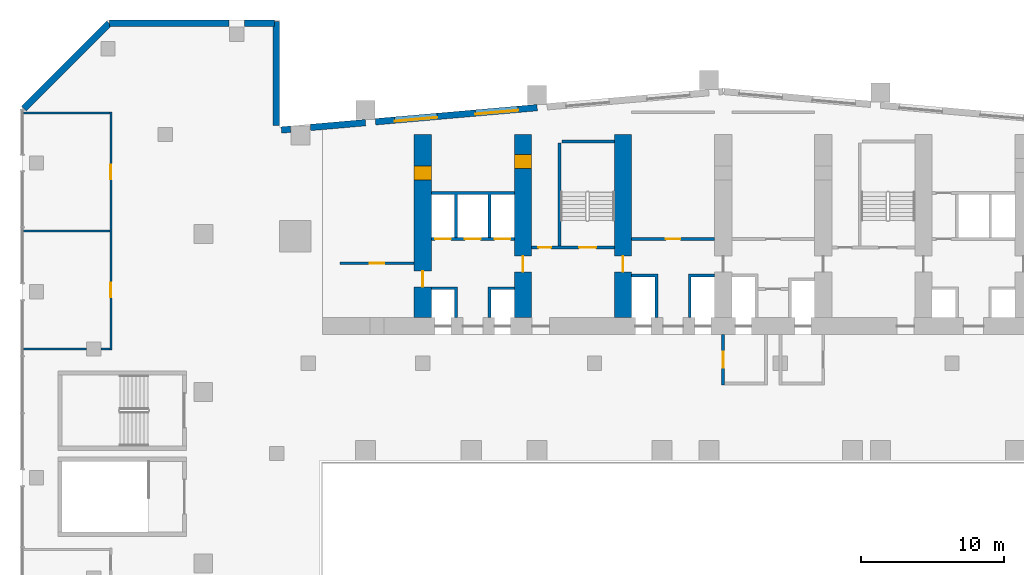
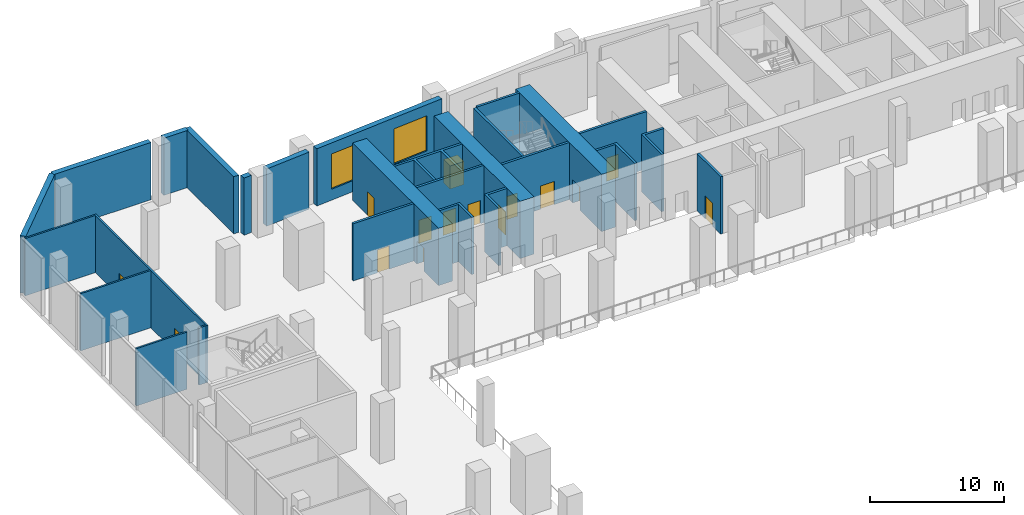
# One storey, part 14 of 25: 27 walls, 15 doors, 2 windows, 17 openings.
"""IFC4 building model written with IfcOpenShell, lengths in metres."""

from ifc_helpers import new_model, si_unit, direction, frame, frame_2d, origin, place, context, subcontext, project, spatial, polyline, rectangle, outline, extrude, material, layer, layer_set, type_object, element, fill, save


model = new_model("IFC4")

# Units and contexts
model_context = context("Model", 3, precision=1e-05, world=origin(), true_north=direction((0.0, 1.0)))
body_context = subcontext(model_context, "Body", "Model", "MODEL_VIEW")
ifc_project = project(units=[si_unit("LENGTHUNIT", "METRE"), si_unit("AREAUNIT", "SQUARE_METRE"), si_unit("VOLUMEUNIT", "CUBIC_METRE"), si_unit("PLANEANGLEUNIT", "RADIAN"), si_unit("MASSUNIT", "GRAM", prefix="KILO")], contexts=[model_context])

# Site, building, storey
site_placement = place(None, origin())
site = spatial("IfcSite", under=ifc_project, at=site_placement, CompositionType="ELEMENT")
building_placement = place(site_placement, origin())
building = spatial("IfcBuilding", under=site, at=building_placement, Name="Wharfspan Tower", CompositionType="ELEMENT")
storey_placement = place(building_placement, frame((0.0, 0.0, 27.5)))
storey = spatial("IfcBuildingStorey", under=building, at=storey_placement, Name="L04", CompositionType="ELEMENT", Elevation=27.5)

# Wall, opening, door
ifc_material_1 = material(Name="Calcium silicate masonry", Category="masonry")
ifc_layer_1 = layer(ifc_material_1, 0.199951)
ifc_layer_set_1 = layer_set([ifc_layer_1], Name="Calcium silicate masonry")
wall_type_1 = type_object("IfcWallType", Name="Core room wall 200", PredefinedType="PARTITIONING", material=ifc_layer_set_1)
wall_1_placement = place(storey_placement, frame((10.199951, 39.0, 0.0), z_axis=(0.0, 0.0, 1.0), x_axis=(1.0, 0.0, 0.0)))
wall_1 = element("IfcWall", 1, at=wall_1_placement, inside=storey, type_object=wall_type_1, Name="sw:L04:RM0", PredefinedType="PARTITIONING", context=body_context, shape_type="SweptSolid", body=[
    extrude(rectangle(XDim=5.199951, YDim=0.199951, at=frame_2d((2.600098, 0.0))), origin(), (0.0, 0.0, 1.0), 5.199951),
])
opening_1_placement = place(wall_1_placement, frame((2.100098, 0.0, 0.0)))
opening_1 = element("IfcOpeningElement", 2, at=opening_1_placement, cuts=wall_1, Name="Opening CD04.02", PredefinedType="OPENING", context=body_context, shape_type="SweptSolid", body=[
    extrude(rectangle(XDim=1.0, YDim=2.100098, at=frame_2d((0.5, 1.050049))), frame((0.0, 0.109863, 0.0), z_axis=(0.0, -1.0, 0.0), x_axis=(1.0, 0.0, 0.0)), (0.0, 0.0, 1.0), 0.219971),
])
ifc_material_2 = material(Name="Steel door leaf", Category="steel")
door_type_1 = type_object("IfcDoorType", Name="Core room door 1000x2100", OperationType="SINGLE_SWING_LEFT", PredefinedType="DOOR", material=ifc_material_2)
door_1_placement = place(opening_1_placement, origin())
door_1 = element("IfcDoor", 3, at=door_1_placement, inside=storey, type_object=door_type_1, Name="d:L04:0:rr", OperationType="SINGLE_SWING_RIGHT", OverallHeight=2.100098, OverallWidth=1.0, PredefinedType="DOOR", context=body_context, shape_type="SweptSolid", body=[
    extrude(rectangle(XDim=1.0, YDim=2.100098, at=frame_2d((0.5, 1.050049))), frame((0.0, 0.024902, 0.0), z_axis=(0.0, -1.0, 0.0), x_axis=(1.0, 0.0, 0.0)), (0.0, 0.0, 1.0), 0.050049),
])
fill(opening_1, door_1)

# Wall, openings, doors
ifc_material_3 = material(Name="Concrete C70/85", Category="concrete")
ifc_layer_2 = layer(ifc_material_3, 1.199951)
ifc_layer_set_2 = layer_set([ifc_layer_2], Name="Concrete C70/85")
wall_type_2 = type_object("IfcWallType", Name="Core wall fallback 1.2", PredefinedType="SHEAR", material=ifc_layer_set_2)
wall_2_placement = place(storey_placement, frame((16.0, 35.199951, 0.0), z_axis=(0.0, 0.0, 1.0), x_axis=(0.0, 1.0, 0.0)))
wall_2 = element("IfcWall", 4, at=wall_2_placement, inside=storey, type_object=wall_type_2, Name="cw:L04:X1", PredefinedType="SHEAR", context=body_context, shape_type="SweptSolid", body=[
    extrude(rectangle(XDim=12.800049, YDim=1.199951, at=frame_2d((6.399902, 0.0))), origin(), (0.0, 0.0, 1.0), 5.199951),
])
opening_2_placement = place(wall_2_placement, frame((2.149902, 0.0, 0.0)))
opening_2 = element("IfcOpeningElement", 5, at=opening_2_placement, cuts=wall_2, Name="Opening CC04.1", PredefinedType="OPENING", context=body_context, shape_type="SweptSolid", body=[
    extrude(rectangle(XDim=1.100098, YDim=2.100098, at=frame_2d((0.550049, 1.050049))), frame((0.0, 0.609863, 0.0), z_axis=(0.0, -1.0, 0.0), x_axis=(1.0, 0.0, 0.0)), (0.0, 0.0, 1.0), 1.219971),
])
opening_3_placement = place(wall_2_placement, frame((9.600098, 0.0, 0.0)))
opening_3 = element("IfcOpeningElement", 6, at=opening_3_placement, cuts=wall_2, Name="Opening CR04.1", PredefinedType="OPENING", context=body_context, shape_type="SweptSolid", body=[
    extrude(rectangle(XDim=1.0, YDim=2.100098, at=frame_2d((0.5, 1.050049))), frame((0.0, 0.609863, 0.0), z_axis=(0.0, -1.0, 0.0), x_axis=(1.0, 0.0, 0.0)), (0.0, 0.0, 1.0), 1.219971),
])
door_type_2 = type_object("IfcDoorType", Name="Core corridor door 1100x2100", OperationType="SINGLE_SWING_LEFT", PredefinedType="DOOR", material=ifc_material_2)
door_2_placement = place(opening_2_placement, origin())
door_2 = element("IfcDoor", 7, at=door_2_placement, inside=storey, type_object=door_type_2, Name="xd:L04:1", OperationType="SINGLE_SWING_LEFT", OverallHeight=2.100098, OverallWidth=1.100098, PredefinedType="DOOR", context=body_context, shape_type="SweptSolid", body=[
    extrude(rectangle(XDim=1.100098, YDim=2.100098, at=frame_2d((0.550049, 1.050049))), frame((0.0, 0.024902, 0.0), z_axis=(0.0, -1.0, 0.0), x_axis=(1.0, 0.0, 0.0)), (0.0, 0.0, 1.0), 0.050049),
])
fill(opening_2, door_2)
door_3_placement = place(opening_3_placement, origin())
door_3 = element("IfcDoor", 8, at=door_3_placement, inside=storey, type_object=door_type_1, Name="xr:L04:1", OperationType="SINGLE_SWING_RIGHT", OverallHeight=2.100098, OverallWidth=1.0, PredefinedType="DOOR", context=body_context, shape_type="SweptSolid", body=[
    extrude(rectangle(XDim=1.0, YDim=2.100098, at=frame_2d((0.5, 1.050049))), frame((0.0, 0.599609, 0.0), z_axis=(0.0, -1.0, 0.0), x_axis=(1.0, 0.0, 0.0)), (0.0, 0.0, 1.0), 1.199463),
])
fill(opening_3, door_3)

wall_3_placement = place(storey_placement, frame((23.0, 35.199951, 0.0), z_axis=(0.0, 0.0, 1.0), x_axis=(0.0, 1.0, 0.0)))
wall_3 = element("IfcWall", 9, at=wall_3_placement, inside=storey, type_object=wall_type_2, Name="cw:L04:X2", PredefinedType="SHEAR", context=body_context, shape_type="SweptSolid", body=[
    extrude(rectangle(XDim=12.800049, YDim=1.199951, at=frame_2d((6.399902, 0.0))), origin(), (0.0, 0.0, 1.0), 5.199951),
])
opening_4_placement = place(wall_3_placement, frame((10.413818, 0.0, 0.0)))
opening_4 = element("IfcOpeningElement", 10, at=opening_4_placement, cuts=wall_3, Name="Opening CD04.1X", PredefinedType="OPENING", context=body_context, shape_type="SweptSolid", body=[
    extrude(rectangle(XDim=1.0, YDim=2.100098, at=frame_2d((0.5, 1.050049))), frame((0.0, 0.609863, 0.0), z_axis=(0.0, -1.0, 0.0), x_axis=(1.0, 0.0, 0.0)), (0.0, 0.0, 1.0), 1.219971),
])
opening_5_placement = place(wall_3_placement, frame((3.199951, 0.0, 0.0)))
opening_5 = element("IfcOpeningElement", 11, at=opening_5_placement, cuts=wall_3, Name="Opening CC04.2", PredefinedType="OPENING", context=body_context, shape_type="SweptSolid", body=[
    extrude(rectangle(XDim=1.100098, YDim=2.100098, at=frame_2d((0.550049, 1.050049))), frame((0.0, 0.609863, 0.0), z_axis=(0.0, -1.0, 0.0), x_axis=(1.0, 0.0, 0.0)), (0.0, 0.0, 1.0), 1.219971),
])
door_4_placement = place(opening_5_placement, origin())
door_4 = element("IfcDoor", 12, at=door_4_placement, inside=storey, type_object=door_type_2, Name="xd:L04:2", OperationType="SINGLE_SWING_RIGHT", OverallHeight=2.100098, OverallWidth=1.100098, PredefinedType="DOOR", context=body_context, shape_type="SweptSolid", body=[
    extrude(rectangle(XDim=1.100098, YDim=2.100098, at=frame_2d((0.550049, 1.050049))), frame((0.0, 0.024902, 0.0), z_axis=(0.0, -1.0, 0.0), x_axis=(1.0, 0.0, 0.0)), (0.0, 0.0, 1.0), 0.050049),
])
fill(opening_5, door_4)
door_5_placement = place(opening_4_placement, origin())
door_5 = element("IfcDoor", 13, at=door_5_placement, inside=storey, type_object=door_type_1, Name="d:L04:1:sx", OperationType="SINGLE_SWING_LEFT", OverallHeight=2.100098, OverallWidth=1.0, PredefinedType="DOOR", context=body_context, shape_type="SweptSolid", body=[
    extrude(rectangle(XDim=1.0, YDim=2.100098, at=frame_2d((0.5, 1.050049))), frame((0.0, 0.599609, 0.0), z_axis=(0.0, -1.0, 0.0), x_axis=(1.0, 0.0, 0.0)), (0.0, 0.0, 1.0), 1.199463),
])
fill(opening_4, door_5)

# Wall, opening, door
wall_4_placement = place(storey_placement, frame((30.0, 35.199951, 0.0), z_axis=(0.0, 0.0, 1.0), x_axis=(0.0, 1.0, 0.0)))
wall_4 = element("IfcWall", 14, at=wall_4_placement, inside=storey, type_object=wall_type_2, Name="cw:L04:X3", PredefinedType="SHEAR", context=body_context, shape_type="SweptSolid", body=[
    extrude(rectangle(XDim=12.800049, YDim=1.199951, at=frame_2d((6.399902, 0.0))), origin(), (0.0, 0.0, 1.0), 5.199951),
])
opening_6_placement = place(wall_4_placement, frame((3.199951, 0.0, 0.0)))
opening_6 = element("IfcOpeningElement", 15, at=opening_6_placement, cuts=wall_4, Name="Opening CC04.3", PredefinedType="OPENING", context=body_context, shape_type="SweptSolid", body=[
    extrude(rectangle(XDim=1.100098, YDim=2.100098, at=frame_2d((0.550049, 1.050049))), frame((0.0, 0.609863, 0.0), z_axis=(0.0, -1.0, 0.0), x_axis=(1.0, 0.0, 0.0)), (0.0, 0.0, 1.0), 1.219971),
])
door_6_placement = place(opening_6_placement, origin())
door_6 = element("IfcDoor", 16, at=door_6_placement, inside=storey, type_object=door_type_2, Name="xd:L04:3", OperationType="SINGLE_SWING_LEFT", OverallHeight=2.100098, OverallWidth=1.100098, PredefinedType="DOOR", context=body_context, shape_type="SweptSolid", body=[
    extrude(rectangle(XDim=1.100098, YDim=2.100098, at=frame_2d((0.550049, 1.050049))), frame((0.0, 0.024902, 0.0), z_axis=(0.0, -1.0, 0.0), x_axis=(1.0, 0.0, 0.0)), (0.0, 0.0, 1.0), 0.050049),
])
fill(opening_6, door_6)

# Wall, openings, doors
ifc_material_4 = material(Name="Concrete C30/37", Category="concrete")
ifc_layer_3 = layer(ifc_material_4, 0.199951)
ifc_layer_set_3 = layer_set([ifc_layer_3], Name="Concrete C30/37")
wall_type_3 = type_object("IfcWallType", Name="Lift shaft wall 200", PredefinedType="PARTITIONING", material=ifc_layer_set_3)
wall_5_placement = place(storey_placement, frame((16.600098, 40.699951, 0.0), z_axis=(0.0, 0.0, 1.0), x_axis=(1.0, 0.0, 0.0)))
wall_5 = element("IfcWall", 17, at=wall_5_placement, inside=storey, type_object=wall_type_3, Name="sw:L04:RF1", PredefinedType="PARTITIONING", context=body_context, shape_type="SweptSolid", body=[
    extrude(rectangle(XDim=5.799805, YDim=0.199951, at=frame_2d((2.899902, 0.0))), origin(), (0.0, 0.0, 1.0), 5.199951),
])
opening_7_placement = place(wall_5_placement, frame((0.266602, 0.0, 0.0)))
opening_7 = element("IfcOpeningElement", 18, at=opening_7_placement, cuts=wall_5, Name="Opening LD.LA3.L04", PredefinedType="OPENING", context=body_context, shape_type="SweptSolid", body=[
    extrude(rectangle(XDim=1.100098, YDim=2.100098, at=frame_2d((0.550049, 1.050049))), frame((0.0, 0.109863, 0.0), z_axis=(0.0, -1.0, 0.0), x_axis=(1.0, 0.0, 0.0)), (0.0, 0.0, 1.0), 0.219971),
])
opening_8_placement = place(wall_5_placement, frame((2.350098, 0.0, 0.0)))
opening_8 = element("IfcOpeningElement", 19, at=opening_8_placement, cuts=wall_5, Name="Opening LD.LA4.L04", PredefinedType="OPENING", context=body_context, shape_type="SweptSolid", body=[
    extrude(rectangle(XDim=1.100098, YDim=2.100098, at=frame_2d((0.550049, 1.050049))), frame((0.0, 0.109863, 0.0), z_axis=(0.0, -1.0, 0.0), x_axis=(1.0, 0.0, 0.0)), (0.0, 0.0, 1.0), 0.219971),
])
opening_9_placement = place(wall_5_placement, frame((4.43335, 0.0, 0.0)))
opening_9 = element("IfcOpeningElement", 20, at=opening_9_placement, cuts=wall_5, Name="Opening LD.LA5.L04", PredefinedType="OPENING", context=body_context, shape_type="SweptSolid", body=[
    extrude(rectangle(XDim=1.100098, YDim=2.100098, at=frame_2d((0.550049, 1.050049))), frame((0.0, 0.109863, 0.0), z_axis=(0.0, -1.0, 0.0), x_axis=(1.0, 0.0, 0.0)), (0.0, 0.0, 1.0), 0.219971),
])
ifc_material_5 = material(Name="Stainless steel", Category="steel")
door_type_3 = type_object("IfcDoorType", Name="Lift landing door 1100x2100", OperationType="DOUBLE_DOOR_SLIDING", PredefinedType="DOOR", material=ifc_material_5)
door_7_placement = place(opening_7_placement, origin())
door_7 = element("IfcDoor", 21, at=door_7_placement, inside=storey, type_object=door_type_3, Name="Landing door LA3 L04", OperationType="DOUBLE_DOOR_SLIDING", OverallHeight=2.100098, OverallWidth=1.100098, PredefinedType="DOOR", context=body_context, shape_type="SweptSolid", body=[
    extrude(rectangle(XDim=1.100098, YDim=2.100098, at=frame_2d((0.550049, 1.050049))), frame((0.0, 0.024902, 0.0), z_axis=(0.0, -1.0, 0.0), x_axis=(1.0, 0.0, 0.0)), (0.0, 0.0, 1.0), 0.050049),
])
fill(opening_7, door_7)
door_8_placement = place(opening_8_placement, origin())
door_8 = element("IfcDoor", 22, at=door_8_placement, inside=storey, type_object=door_type_3, Name="Landing door LA4 L04", OperationType="DOUBLE_DOOR_SLIDING", OverallHeight=2.100098, OverallWidth=1.100098, PredefinedType="DOOR", context=body_context, shape_type="SweptSolid", body=[
    extrude(rectangle(XDim=1.100098, YDim=2.100098, at=frame_2d((0.550049, 1.050049))), frame((0.0, 0.024902, 0.0), z_axis=(0.0, -1.0, 0.0), x_axis=(1.0, 0.0, 0.0)), (0.0, 0.0, 1.0), 0.050049),
])
fill(opening_8, door_8)
door_9_placement = place(opening_9_placement, origin())
door_9 = element("IfcDoor", 23, at=door_9_placement, inside=storey, type_object=door_type_3, Name="Landing door LA5 L04", OperationType="DOUBLE_DOOR_SLIDING", OverallHeight=2.100098, OverallWidth=1.100098, PredefinedType="DOOR", context=body_context, shape_type="SweptSolid", body=[
    extrude(rectangle(XDim=1.100098, YDim=2.100098, at=frame_2d((0.550049, 1.050049))), frame((0.0, 0.024902, 0.0), z_axis=(0.0, -1.0, 0.0), x_axis=(1.0, 0.0, 0.0)), (0.0, 0.0, 1.0), 0.050049),
])
fill(opening_9, door_9)

# Walls
wall_6_placement = place(storey_placement, frame((0.0, 0.0, -0.000244)))
element("IfcWall", 24, at=wall_6_placement, inside=storey, type_object=wall_type_3, Name="sw:L04:FM1.0", PredefinedType="PARTITIONING", context=body_context, shape_type="SweptSolid", body=[
    extrude(outline(polyline([(18.233398, 37.149902), (16.600098, 37.149902), (16.600098, 37.350098), (18.233398, 37.350098), (18.43335, 37.350098), (18.43335, 35.199951), (18.233398, 35.199951), (18.233398, 37.149902)])), origin(), (0.0, 0.0, 1.0), 5.200195),
])
wall_7_placement = place(storey_placement, frame((0.0, 0.0, -0.000244)))
element("IfcWall", 25, at=wall_7_placement, inside=storey, type_object=wall_type_3, Name="sw:L04:FM1.1", PredefinedType="PARTITIONING", context=body_context, shape_type="SweptSolid", body=[
    extrude(outline(polyline([(20.56665, 37.350098), (20.766602, 37.350098), (22.399902, 37.350098), (22.399902, 37.149902), (20.766602, 37.149902), (20.766602, 35.199951), (20.56665, 35.199951), (20.56665, 37.350098)])), origin(), (0.0, 0.0, 1.0), 5.200195),
])
wall_8_placement = place(storey_placement, frame((0.0, 0.0, -0.000244)))
element("IfcWall", 26, at=wall_8_placement, inside=storey, type_object=wall_type_3, Name="sw:L04:RM1.0", PredefinedType="PARTITIONING", context=body_context, shape_type="SweptSolid", body=[
    extrude(outline(polyline([(18.43335, 40.800049), (18.233398, 40.800049), (18.233398, 43.800049), (16.600098, 43.800049), (16.600098, 44.0), (22.399902, 44.0), (22.399902, 43.800049), (20.766602, 43.800049), (20.766602, 40.800049), (20.56665, 40.800049), (20.56665, 43.800049), (18.43335, 43.800049), (18.43335, 40.800049)])), origin(), (0.0, 0.0, 1.0), 5.200195),
])

# Wall, opening, door
wall_9_placement = place(storey_placement, frame((30.600098, 40.699951, 0.0), z_axis=(0.0, 0.0, 1.0), x_axis=(1.0, 0.0, 0.0)))
wall_9 = element("IfcWall", 27, at=wall_9_placement, inside=storey, type_object=wall_type_3, Name="sw:L04:RF3", PredefinedType="PARTITIONING", context=body_context, shape_type="SweptSolid", body=[
    extrude(rectangle(XDim=5.799805, YDim=0.199951, at=frame_2d((2.899902, 0.0))), origin(), (0.0, 0.0, 1.0), 5.199951),
])
opening_10_placement = place(wall_9_placement, frame((2.399902, 0.0, 0.0)))
opening_10 = element("IfcOpeningElement", 28, at=opening_10_placement, cuts=wall_9, Name="Opening CD04.3S", PredefinedType="OPENING", context=body_context, shape_type="SweptSolid", body=[
    extrude(rectangle(XDim=1.0, YDim=2.100098, at=frame_2d((0.5, 1.050049))), frame((0.0, 0.109863, 0.0), z_axis=(0.0, -1.0, 0.0), x_axis=(1.0, 0.0, 0.0)), (0.0, 0.0, 1.0), 0.219971),
])
door_10_placement = place(opening_10_placement, origin())
door_10 = element("IfcDoor", 29, at=door_10_placement, inside=storey, type_object=door_type_1, Name="d:L04:3:sf", OperationType="SINGLE_SWING_LEFT", OverallHeight=2.100098, OverallWidth=1.0, PredefinedType="DOOR", context=body_context, shape_type="SweptSolid", body=[
    extrude(rectangle(XDim=1.0, YDim=2.100098, at=frame_2d((0.5, 1.050049))), frame((0.0, 0.024902, 0.0), z_axis=(0.0, -1.0, 0.0), x_axis=(1.0, 0.0, 0.0)), (0.0, 0.0, 1.0), 0.050049),
])
fill(opening_10, door_10)

# Walls
wall_10_placement = place(storey_placement, frame((0.0, 0.0, -0.000244)))
element("IfcWall", 30, at=wall_10_placement, inside=storey, type_object=wall_type_3, Name="sw:L04:FM3.0", PredefinedType="PARTITIONING", context=body_context, shape_type="SweptSolid", body=[
    extrude(outline(polyline([(32.233398, 38.050049), (30.600098, 38.050049), (30.600098, 38.25), (32.233398, 38.25), (32.43335, 38.25), (32.43335, 35.199951), (32.233398, 35.199951), (32.233398, 38.050049)])), origin(), (0.0, 0.0, 1.0), 5.200195),
])
wall_11_placement = place(storey_placement, frame((0.0, 0.0, -0.000244)))
element("IfcWall", 31, at=wall_11_placement, inside=storey, type_object=wall_type_3, Name="sw:L04:FM3.1", PredefinedType="PARTITIONING", context=body_context, shape_type="SweptSolid", body=[
    extrude(outline(polyline([(34.56665, 38.25), (34.766602, 38.25), (36.399902, 38.25), (36.399902, 38.050049), (34.766602, 38.050049), (34.766602, 35.199951), (34.56665, 35.199951), (34.56665, 38.25)])), origin(), (0.0, 0.0, 1.0), 5.200195),
])

# Wall, opening, door
ifc_layer_4 = layer(ifc_material_4, 0.199951)
ifc_layer_set_4 = layer_set([ifc_layer_4], Name="Concrete C30/37")
wall_type_4 = type_object("IfcWallType", Name="Lobby wall 200", PredefinedType="PARTITIONING", material=ifc_layer_set_4)
wall_12_placement = place(storey_placement, frame((37.0, 30.5, 0.0), z_axis=(0.0, 0.0, 1.0), x_axis=(0.0, 1.0, 0.0)))
wall_12 = element("IfcWall", 32, at=wall_12_placement, inside=storey, type_object=wall_type_4, Name="sw:L04:FLFF1W", PredefinedType="PARTITIONING", context=body_context, shape_type="SweptSolid", body=[
    extrude(rectangle(XDim=3.5, YDim=0.199951, at=frame_2d((1.75, 0.0))), origin(), (0.0, 0.0, 1.0), 5.199951),
])
opening_11_placement = place(wall_12_placement, frame((1.199951, 0.0, 0.0)))
opening_11 = element("IfcOpeningElement", 33, at=opening_11_placement, cuts=wall_12, Name="Opening FL.FF1.L04", PredefinedType="OPENING", context=body_context, shape_type="SweptSolid", body=[
    extrude(rectangle(XDim=1.100098, YDim=2.100098, at=frame_2d((0.550049, 1.050049))), frame((0.0, 0.109863, 0.0), z_axis=(0.0, -1.0, 0.0), x_axis=(1.0, 0.0, 0.0)), (0.0, 0.0, 1.0), 0.219971),
])
door_type_4 = type_object("IfcDoorType", Name="Firefighting lobby door 1100x2100", OperationType="SINGLE_SWING_LEFT", PredefinedType="DOOR", material=ifc_material_2)
door_11_placement = place(opening_11_placement, origin())
door_11 = element("IfcDoor", 34, at=door_11_placement, inside=storey, type_object=door_type_4, Name="fd:L04:FF1", OperationType="SINGLE_SWING_LEFT", OverallHeight=2.100098, OverallWidth=1.100098, PredefinedType="DOOR", context=body_context, shape_type="SweptSolid", body=[
    extrude(rectangle(XDim=1.100098, YDim=2.100098, at=frame_2d((0.550049, 1.050049))), frame((0.0, 0.024902, 0.0), z_axis=(0.0, -1.0, 0.0), x_axis=(1.0, 0.0, 0.0)), (0.0, 0.0, 1.0), 0.050049),
])
fill(opening_11, door_11)

# Wall, openings, doors
ifc_layer_5 = layer(ifc_material_1, 0.149902)
ifc_layer_set_5 = layer_set([ifc_layer_5], Name="Calcium silicate masonry")
wall_type_5 = type_object("IfcWallType", Name="Podium room wall 150", PredefinedType="PARTITIONING", material=ifc_layer_set_5)
wall_13_placement = place(storey_placement, frame((-5.800049, 32.925049, 0.0), z_axis=(0.0, 0.0, 1.0), x_axis=(0.0, 1.0, 0.0)))
wall_13 = element("IfcWall", 35, at=wall_13_placement, inside=storey, type_object=wall_type_5, Name="iw:L04:5", PredefinedType="PARTITIONING", context=body_context, shape_type="SweptSolid", body=[
    extrude(rectangle(XDim=16.649902, YDim=0.149902, at=frame_2d((8.324951, 0.0))), origin(), (0.0, 0.0, 1.0), 5.199951),
])
opening_12_placement = place(wall_13_placement, frame((3.699951, 0.0, 0.0)))
opening_12 = element("IfcOpeningElement", 36, at=opening_12_placement, cuts=wall_13, Name="Opening PD04.12", PredefinedType="OPENING", context=body_context, shape_type="SweptSolid", body=[
    extrude(rectangle(XDim=1.0, YDim=2.100098, at=frame_2d((0.5, 1.050049))), frame((0.0, 0.084961, 0.0), z_axis=(0.0, -1.0, 0.0), x_axis=(1.0, 0.0, 0.0)), (0.0, 0.0, 1.0), 0.169922),
])
opening_13_placement = place(wall_13_placement, frame((11.949951, 0.0, 0.0)))
opening_13 = element("IfcOpeningElement", 37, at=opening_13_placement, cuts=wall_13, Name="Opening PD04.13", PredefinedType="OPENING", context=body_context, shape_type="SweptSolid", body=[
    extrude(rectangle(XDim=1.0, YDim=2.100098, at=frame_2d((0.5, 1.050049))), frame((0.0, 0.084961, 0.0), z_axis=(0.0, -1.0, 0.0), x_axis=(1.0, 0.0, 0.0)), (0.0, 0.0, 1.0), 0.169922),
])
door_type_5 = type_object("IfcDoorType", Name="Podium room door 1000x2100", OperationType="SINGLE_SWING_LEFT", PredefinedType="DOOR", material=ifc_material_2)
door_12_placement = place(opening_12_placement, origin())
door_12 = element("IfcDoor", 38, at=door_12_placement, inside=storey, type_object=door_type_5, Name="id:L04:12", OperationType="SINGLE_SWING_LEFT", OverallHeight=2.100098, OverallWidth=1.0, PredefinedType="DOOR", context=body_context, shape_type="SweptSolid", body=[
    extrude(rectangle(XDim=1.0, YDim=2.100098, at=frame_2d((0.5, 1.050049))), frame((0.0, 0.024902, 0.0), z_axis=(0.0, -1.0, 0.0), x_axis=(1.0, 0.0, 0.0)), (0.0, 0.0, 1.0), 0.050049),
])
fill(opening_12, door_12)
door_13_placement = place(opening_13_placement, origin())
door_13 = element("IfcDoor", 39, at=door_13_placement, inside=storey, type_object=door_type_5, Name="id:L04:13", OperationType="SINGLE_SWING_RIGHT", OverallHeight=2.100098, OverallWidth=1.0, PredefinedType="DOOR", context=body_context, shape_type="SweptSolid", body=[
    extrude(rectangle(XDim=1.0, YDim=2.100098, at=frame_2d((0.5, 1.050049))), frame((0.0, 0.024902, 0.0), z_axis=(0.0, -1.0, 0.0), x_axis=(1.0, 0.0, 0.0)), (0.0, 0.0, 1.0), 0.050049),
])
fill(opening_13, door_13)

# Walls
wall_14_placement = place(storey_placement, frame((-11.89502, 33.0, 0.0), z_axis=(0.0, 0.0, 1.0), x_axis=(1.0, 0.0, 0.0)))
element("IfcWall", 40, at=wall_14_placement, inside=storey, type_object=wall_type_5, Name="iw:L04:24", PredefinedType="PARTITIONING", context=body_context, shape_type="SweptSolid", body=[
    extrude(rectangle(XDim=4.38501, YDim=0.149902, at=frame_2d((2.192383, 0.0))), origin(), (0.0, 0.0, 1.0), 5.199951),
])
wall_15_placement = place(storey_placement, frame((-6.48999, 33.0, 0.0), z_axis=(0.0, 0.0, 1.0), x_axis=(1.0, 0.0, 0.0)))
element("IfcWall", 41, at=wall_15_placement, inside=storey, type_object=wall_type_5, Name="iw:L04:25", PredefinedType="PARTITIONING", context=body_context, shape_type="SweptSolid", body=[
    extrude(rectangle(XDim=0.61499, YDim=0.149902, at=frame_2d((0.307617, 0.0))), origin(), (0.0, 0.0, 1.0), 5.199951),
])
for number, where, z_axis, x_axis, name in (
    (42, (-11.89502, 41.25, 0.0), (0.0, 0.0, 1.0), (1.0, 0.0, 0.0), "iw:L04:26"),
    (43, (-11.89502, 49.5, 0.0), (0.0, 0.0, 1.0), (1.0, 0.0, 0.0), "iw:L04:27"),
):
    element("IfcWall", number, at=place(storey_placement, frame(where, z_axis=z_axis, x_axis=x_axis)), inside=storey, type_object=wall_type_5, Name=name, PredefinedType="PARTITIONING", context=body_context, shape_type="SweptSolid", body=[
        extrude(rectangle(XDim=6.02002, YDim=0.149902, at=frame_2d((3.01001, 0.0))), origin(), (0.0, 0.0, 1.0), 5.199951),
    ])

# Wall, openings, doors
ifc_material_6 = material(Name="Concrete C40/50", Category="concrete")
ifc_layer_6 = layer(ifc_material_6, 0.199951)
ifc_layer_set_6 = layer_set([ifc_layer_6], Name="Concrete C40/50")
wall_type_6 = type_object("IfcWallType", Name="Stair shaft wall 200", PredefinedType="SHEAR", material=ifc_layer_set_6)
wall_16_placement = place(storey_placement, frame((23.600098, 40.100098, 0.0), z_axis=(0.0, 0.0, 1.0), x_axis=(1.0, 0.0, 0.0)))
wall_16 = element("IfcWall", 44, at=wall_16_placement, inside=storey, type_object=wall_type_6, Name="ST1 stair enclosure wall L04", PredefinedType="SHEAR", context=body_context, shape_type="SweptSolid", body=[
    extrude(rectangle(XDim=5.799805, YDim=0.199951, at=frame_2d((2.899902, 0.0))), origin(), (0.0, 0.0, 1.0), 5.199951),
])
opening_14_placement = place(wall_16_placement, frame((3.324951, 0.0, 0.0)))
opening_14 = element("IfcOpeningElement", 45, at=opening_14_placement, cuts=wall_16, Name="Opening SD2.L04", PredefinedType="OPENING", context=body_context, shape_type="SweptSolid", body=[
    extrude(rectangle(XDim=1.199951, YDim=2.100098, at=frame_2d((0.600098, 1.050049))), frame((0.0, 0.109863, 0.0), z_axis=(0.0, -1.0, 0.0), x_axis=(1.0, 0.0, 0.0)), (0.0, 0.0, 1.0), 0.219971),
])
opening_15_placement = place(wall_16_placement, frame((0.475098, 0.0, 0.0)))
opening_15 = element("IfcOpeningElement", 46, at=opening_15_placement, cuts=wall_16, Name="Opening CD04.2R", PredefinedType="OPENING", context=body_context, shape_type="SweptSolid", body=[
    extrude(rectangle(XDim=0.899902, YDim=2.100098, at=frame_2d((0.449951, 1.050049))), frame((0.0, 0.109863, 0.0), z_axis=(0.0, -1.0, 0.0), x_axis=(1.0, 0.0, 0.0)), (0.0, 0.0, 1.0), 0.219971),
])
door_14_placement = place(opening_15_placement, origin())
door_14 = element("IfcDoor", 47, at=door_14_placement, inside=storey, type_object=door_type_1, Name="rk:L04:2", OperationType="SINGLE_SWING_LEFT", OverallHeight=2.100098, OverallWidth=0.899902, PredefinedType="DOOR", context=body_context, shape_type="SweptSolid", body=[
    extrude(rectangle(XDim=0.899902, YDim=2.100098, at=frame_2d((0.449951, 1.050049))), frame((0.0, 0.024902, 0.0), z_axis=(0.0, -1.0, 0.0), x_axis=(1.0, 0.0, 0.0)), (0.0, 0.0, 1.0), 0.050049),
])
fill(opening_15, door_14)
door_type_6 = type_object("IfcDoorType", Name="Stair door 1200x2100", OperationType="SINGLE_SWING_LEFT", PredefinedType="DOOR", material=ifc_material_2)
door_15_placement = place(opening_14_placement, origin())
door_15 = element("IfcDoor", 48, at=door_15_placement, inside=storey, type_object=door_type_6, Name="sd:L04:2", OperationType="SINGLE_SWING_RIGHT", OverallHeight=2.100098, OverallWidth=1.199951, PredefinedType="DOOR", context=body_context, shape_type="SweptSolid", body=[
    extrude(rectangle(XDim=1.199951, YDim=2.100098, at=frame_2d((0.600098, 1.050049))), frame((0.0, 0.024902, 0.0), z_axis=(0.0, -1.0, 0.0), x_axis=(1.0, 0.0, 0.0)), (0.0, 0.0, 1.0), 0.050049),
])
fill(opening_14, door_15)

# Walls
wall_17_placement = place(storey_placement, frame((25.550049, 40.199951, 0.0), z_axis=(0.0, 0.0, 1.0), x_axis=(0.0, 1.0, 0.0)))
element("IfcWall", 49, at=wall_17_placement, inside=storey, type_object=wall_type_6, Name="ST1 stair enclosure wall L04", PredefinedType="SHEAR", context=body_context, shape_type="SweptSolid", body=[
    extrude(rectangle(XDim=7.199951, YDim=0.199951, at=frame_2d((3.600098, 0.0))), origin(), (0.0, 0.0, 1.0), 5.199951),
])
wall_18_placement = place(storey_placement, frame((25.75, 47.5, 0.0), z_axis=(0.0, 0.0, 1.0), x_axis=(1.0, 0.0, 0.0)))
element("IfcWall", 50, at=wall_18_placement, inside=storey, type_object=wall_type_6, Name="ST1 stair enclosure wall L04", PredefinedType="SHEAR", context=body_context, shape_type="SweptSolid", body=[
    extrude(rectangle(XDim=3.649902, YDim=0.199951, at=frame_2d((1.824951, 0.0))), origin(), (0.0, 0.0, 1.0), 5.199951),
])

# Wall, openings, windows
ifc_layer_7 = layer(ifc_material_6, 0.449951)
ifc_layer_set_7 = layer_set([ifc_layer_7], Name="Concrete C40/50")
wall_type_7 = type_object("IfcWallType", Name="WALL BOARD-MARKED CONCRETE 450", PredefinedType="SOLIDWALL", material=ifc_layer_set_7)
wall_19_placement = place(storey_placement, frame((23.999756, 49.873779, 0.0), z_axis=(0.0, 0.0, 1.0), x_axis=(-0.996195, -0.087145, 0.0)))
wall_19 = element("IfcWall", 51, at=wall_19_placement, inside=storey, type_object=wall_type_7, Name="Podium wall PF8", PredefinedType="SOLIDWALL", context=body_context, shape_type="SweptSolid", body=[
    extrude(rectangle(XDim=11.343506, YDim=0.449951, at=frame_2d((5.671875, 0.0))), origin(), (0.0, 0.0, 1.0), 5.199951),
])
opening_16_placement = place(wall_19_placement, frame((1.335938, 0.0, 1.0)))
opening_16 = element("IfcOpeningElement", 52, at=opening_16_placement, cuts=wall_19, Name="Opening EWN4", PredefinedType="OPENING", context=body_context, shape_type="SweptSolid", body=[
    extrude(rectangle(XDim=3.0, YDim=3.199951, at=frame_2d((1.5, 1.600098))), frame((0.0, 0.234863, 0.0), z_axis=(0.0, -1.0, 0.0), x_axis=(1.0, 0.0, 0.0)), (0.0, 0.0, 1.0), 0.469971),
])
opening_17_placement = place(wall_19_placement, frame((7.007568, 0.0, 1.0)))
opening_17 = element("IfcOpeningElement", 53, at=opening_17_placement, cuts=wall_19, Name="Opening EWN4", PredefinedType="OPENING", context=body_context, shape_type="SweptSolid", body=[
    extrude(rectangle(XDim=3.0, YDim=3.199951, at=frame_2d((1.5, 1.600098))), frame((0.0, 0.234863, 0.0), z_axis=(0.0, -1.0, 0.0), x_axis=(1.0, 0.0, 0.0)), (0.0, 0.0, 1.0), 0.469971),
])
ifc_material_7 = material(Name="Aluminium 6063-T6", Category="aluminium")
window_type = type_object("IfcWindowType", Name="WINDOW 3000x3200", PartitioningType="SINGLE_PANEL", PredefinedType="WINDOW", material=ifc_material_7)
window_1_placement = place(opening_16_placement, origin())
window_1 = element("IfcWindow", 54, at=window_1_placement, inside=storey, type_object=window_type, Name="Podium window", OverallHeight=3.199951, OverallWidth=3.0, PartitioningType="SINGLE_PANEL", PredefinedType="WINDOW", context=body_context, shape_type="SweptSolid", body=[
    extrude(rectangle(XDim=3.0, YDim=3.199951, at=frame_2d((1.5, 1.600098))), frame((0.0, 0.10498, 0.0), z_axis=(0.0, -1.0, 0.0), x_axis=(1.0, 0.0, 0.0)), (0.0, 0.0, 1.0), 0.060059),
])
fill(opening_16, window_1)
window_2_placement = place(opening_17_placement, origin())
window_2 = element("IfcWindow", 55, at=window_2_placement, inside=storey, type_object=window_type, Name="Podium window", OverallHeight=3.199951, OverallWidth=3.0, PartitioningType="SINGLE_PANEL", PredefinedType="WINDOW", context=body_context, shape_type="SweptSolid", body=[
    extrude(rectangle(XDim=3.0, YDim=3.199951, at=frame_2d((1.5, 1.600098))), frame((0.0, 0.10498, 0.0), z_axis=(0.0, -1.0, 0.0), x_axis=(1.0, 0.0, 0.0)), (0.0, 0.0, 1.0), 0.060059),
])
fill(opening_17, window_2)

# Walls
wall_20_placement = place(storey_placement, frame((11.999756, 48.823975, 0.0), z_axis=(0.0, 0.0, 1.0), x_axis=(-0.9962, -0.087124, 0.0)))
element("IfcWall", 56, at=wall_20_placement, inside=storey, type_object=wall_type_7, Name="Podium wall PF8", PredefinedType="SOLIDWALL", context=body_context, shape_type="SweptSolid", body=[
    extrude(rectangle(XDim=3.858643, YDim=0.449951, at=frame_2d((1.929199, 0.0))), origin(), (0.0, 0.0, 1.0), 5.199951),
])
wall_21_placement = place(storey_placement, frame((6.766846, 48.366211, 0.0), z_axis=(0.0, 0.0, 1.0), x_axis=(-0.996201, -0.087116, 0.0)))
element("IfcWall", 57, at=wall_21_placement, inside=storey, type_object=wall_type_7, Name="Podium wall PF8", PredefinedType="SOLIDWALL", context=body_context, shape_type="SweptSolid", body=[
    extrude(rectangle(XDim=0.650146, YDim=0.449951, at=frame_2d((0.325195, 0.0))), origin(), (0.0, 0.0, 1.0), 5.199951),
])
wall_22_placement = place(storey_placement, frame((5.774902, 48.625, 0.0), z_axis=(0.0, 0.0, 1.0), x_axis=(0.0, 1.0, 0.0)))
element("IfcWall", 58, at=wall_22_placement, inside=storey, type_object=wall_type_7, Name="Podium wall PF9", PredefinedType="SOLIDWALL", context=body_context, shape_type="SweptSolid", body=[
    extrude(rectangle(XDim=7.274902, YDim=0.449951, at=frame_2d((3.637451, 0.0))), origin(), (0.0, 0.0, 1.0), 5.199951),
])
wall_23_placement = place(storey_placement, frame((2.449951, 55.774902, 0.0), z_axis=(0.0, 0.0, 1.0), x_axis=(-1.0, 0.0, 0.0)))
element("IfcWall", 59, at=wall_23_placement, inside=storey, type_object=wall_type_7, Name="Podium wall PF10", PredefinedType="SOLIDWALL", context=body_context, shape_type="SweptSolid", body=[
    extrude(rectangle(XDim=8.349854, YDim=0.449951, at=frame_2d((4.174805, 0.0))), origin(), (0.0, 0.0, 1.0), 5.199951),
])
wall_24_placement = place(storey_placement, frame((5.639893, 55.774902, 0.0), z_axis=(0.0, 0.0, 1.0), x_axis=(-1.0, 0.0, 0.0)))
element("IfcWall", 60, at=wall_24_placement, inside=storey, type_object=wall_type_7, Name="Podium wall PF10", PredefinedType="SOLIDWALL", context=body_context, shape_type="SweptSolid", body=[
    extrude(rectangle(XDim=2.089844, YDim=0.449951, at=frame_2d((1.044922, 0.0))), origin(), (0.0, 0.0, 1.0), 5.199951),
])
wall_25_placement = place(storey_placement, frame((-5.911621, 55.770264, 0.0), z_axis=(0.0, 0.0, 1.0), x_axis=(-0.707092, -0.707121, 0.0)))
element("IfcWall", 61, at=wall_25_placement, inside=storey, type_object=wall_type_7, Name="Podium wall PF11", PredefinedType="SOLIDWALL", context=body_context, shape_type="SweptSolid", body=[
    extrude(rectangle(XDim=8.425293, YDim=0.449951, at=frame_2d((4.212646, 0.0))), origin(), (0.0, 0.0, 1.0), 5.199951),
])

save(model, "model.ifc")
